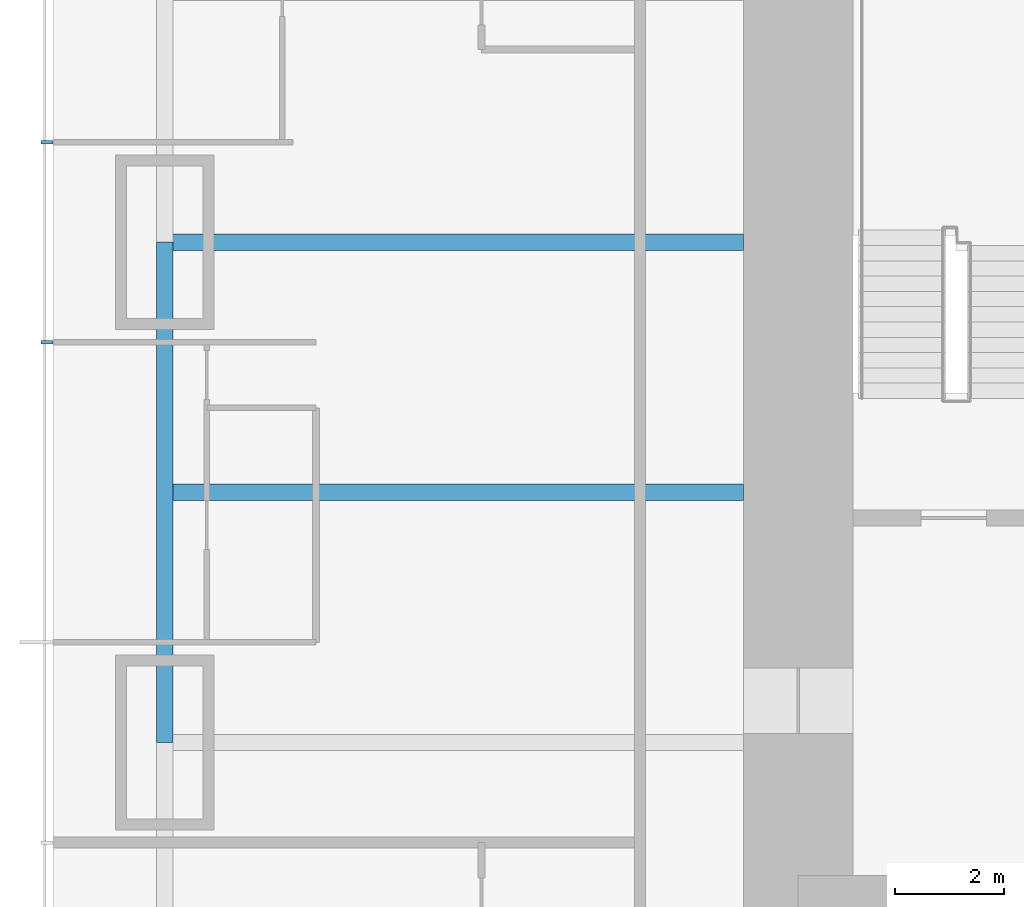
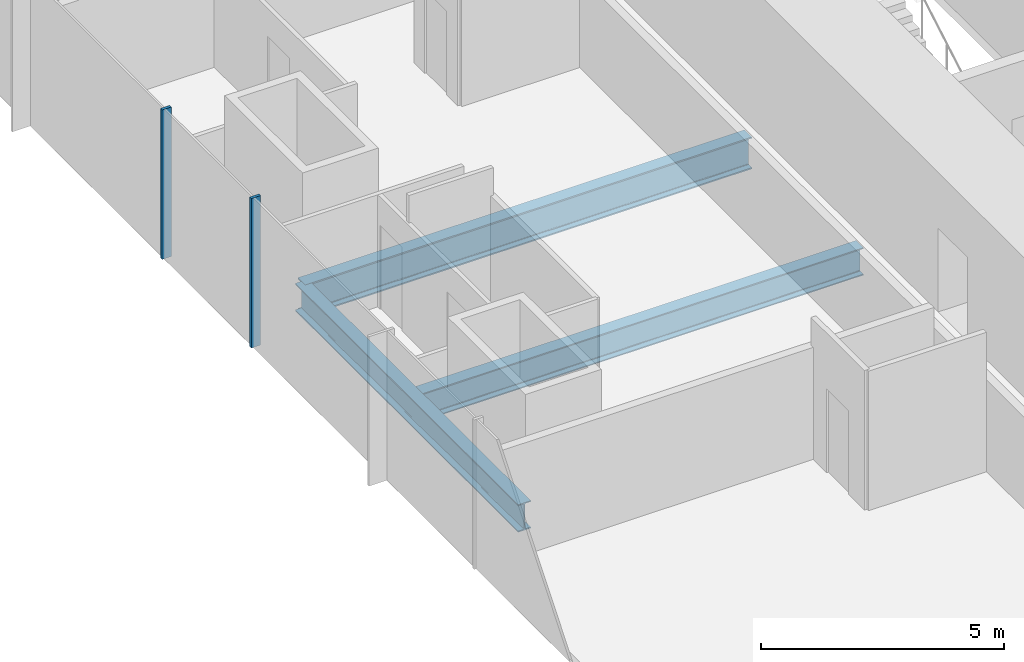
# One storey, part 3 of 13: 3 beams, 2 members, 1 element without a shape of its own.
"""IFC4 building model written with IfcOpenShell, lengths in metres."""

import ifcopenshell
import ifcopenshell.guid

model = None  # the IFC model being written
_history = None  # IfcOwnerHistory: only IFC2X3 demands one
_inside = {}  # id of a spatial element -> (the spatial element, [elements in it])
_under = {}  # id of a project, library or spatial element -> (it, [spatial elements below it])
_declared = {}  # id of a project -> (the project, [libraries it declares])
_typed = {}  # id of a type object -> (the type object, [elements of that type])
_made_of = {}  # id of a material, layer set ... -> (it, [elements and type objects made of it])


def new_model(schema):
    """Start an empty IFC model of exactly this schema.

    Asked for "IFC4X3", IfcOpenShell would pick the latest addendum, in which some entities
    have other attributes; the version numbers below select the first issue.
    IFC2X3 requires an IfcOwnerHistory on every rooted entity: one is made here for all.
    """
    global model, _history
    if schema == "IFC4X3":
        model = ifcopenshell.file(schema_version=(4, 3, 0, 0))
    else:
        model = ifcopenshell.file(schema=schema)
    _inside.clear()
    _under.clear()
    _declared.clear()
    _typed.clear()
    _made_of.clear()
    _history = None
    if model.schema == "IFC2X3":
        org = make("IfcOrganization", Name="unknown")
        user = make(
            "IfcPersonAndOrganization",
            ThePerson=make("IfcPerson", FamilyName="unknown"),
            TheOrganization=org,
        )
        app = make(
            "IfcApplication",
            ApplicationDeveloper=org,
            Version="unknown",
            ApplicationFullName="unknown",
            ApplicationIdentifier="unknown",
        )
        _history = make(
            "IfcOwnerHistory",
            OwningUser=user,
            OwningApplication=app,
            ChangeAction="ADDED",
            CreationDate=0,
        )
    return model


def make(cls, **values):
    """One entity of the class cls with the attributes given. An attribute that is None is left unset."""
    return model.create_entity(
        cls, **{name: value for name, value in values.items() if value is not None}
    )


def rooted(cls, **values):
    """An entity with a GlobalId (a new one), such as an element, a storey or a relation."""
    return make(cls, GlobalId=ifcopenshell.guid.new(), OwnerHistory=_history, **values)


def si_unit(unit_type, name, prefix=None):
    """IfcSIUnit, for example si_unit("LENGTHUNIT", "METRE", prefix="MILLI")."""
    return make("IfcSIUnit", UnitType=unit_type, Prefix=prefix, Name=name)


def assignment(units):
    """IfcUnitAssignment: the units of a project."""
    return None if units is None else make("IfcUnitAssignment", Units=units)


def point(xyz):
    """IfcCartesianPoint."""
    return None if xyz is None else make("IfcCartesianPoint", Coordinates=xyz)


def direction(xyz):
    """IfcDirection."""
    return None if xyz is None else make("IfcDirection", DirectionRatios=xyz)


def frame(location, z_axis=None, x_axis=None):
    """IfcAxis2Placement3D, a coordinate frame: its origin and axes. An axis left out is left unset."""
    return make(
        "IfcAxis2Placement3D",
        Location=point(location),
        Axis=direction(z_axis),
        RefDirection=direction(x_axis),
    )


def frame_2d(location, x_axis=None):
    """IfcAxis2Placement2D, a coordinate frame in the plane: its origin and x axis."""
    return make(
        "IfcAxis2Placement2D", Location=point(location), RefDirection=direction(x_axis)
    )


def origin():
    """The frame at (0, 0, 0) with its axes left unset."""
    return frame((0.0, 0.0, 0.0))


def origin_2d():
    """The frame at (0, 0) in the plane with its x axis left unset."""
    return frame_2d((0.0, 0.0))


def place(relative_to, where):
    """IfcLocalPlacement: puts the frame where relative to a parent placement (None: the world)."""
    return make(
        "IfcLocalPlacement", PlacementRelTo=relative_to, RelativePlacement=where
    )


def context(
    kind, dimensions, precision=None, world=None, true_north=None, identifier=None
):
    """IfcGeometricRepresentationContext, for example the 3D "Model" context."""
    return make(
        "IfcGeometricRepresentationContext",
        ContextIdentifier=identifier,
        ContextType=kind,
        CoordinateSpaceDimension=dimensions,
        Precision=precision,
        WorldCoordinateSystem=world,
        TrueNorth=true_north,
    )


def subcontext(parent, identifier, kind, view, scale=None):
    """IfcGeometricRepresentationSubContext, for example "Body" below "Model"."""
    return make(
        "IfcGeometricRepresentationSubContext",
        ContextIdentifier=identifier,
        ContextType=kind,
        ParentContext=parent,
        TargetScale=scale,
        TargetView=view,
    )


def project(units=None, contexts=None):
    """IfcProject with its units and contexts."""
    return rooted(
        "IfcProject",
        Name="project",
        RepresentationContexts=contexts,
        UnitsInContext=assignment(units),
    )


def spatial(cls, under=None, at=None, **own):
    """A site, building, storey or space (cls), placed at a placement, below another one or the project."""
    s = rooted(cls, ObjectPlacement=at, **own)
    if under is not None:
        _under.setdefault(under.id(), (under, []))[1].append(s)
    return s


def profile(cls, at=None, kind="AREA", **sizes):
    """A parametric profile (cls). Its sizes go by their IFC names, for example OverallWidth=200.0."""
    return make(cls, ProfileType=kind, Position=at, **sizes)


def rectangle(**sizes):
    """IfcRectangleProfileDef."""
    return profile("IfcRectangleProfileDef", **sizes)


def i_section(**sizes):
    """IfcIShapeProfileDef."""
    return profile("IfcIShapeProfileDef", **sizes)


def extrude(swept, where, along, depth):
    """IfcExtrudedAreaSolid: the profile swept, set in the frame where, extruded along a direction by depth."""
    return make(
        "IfcExtrudedAreaSolid",
        SweptArea=swept,
        Position=where,
        ExtrudedDirection=direction(along),
        Depth=depth,
    )


def shape(context_of_items, identifier, shape_type, items):
    """IfcShapeRepresentation: the items that make up one representation, for example the "Body"."""
    return make(
        "IfcShapeRepresentation",
        ContextOfItems=context_of_items,
        RepresentationIdentifier=identifier,
        RepresentationType=shape_type,
        Items=items,
    )


def material(Name=None, Category=None):
    """IfcMaterial."""
    return make("IfcMaterial", Name=Name, Category=Category)


def material_profile(
    of_material, cross_section, Name=None, Category=None, Priority=None
):
    """IfcMaterialProfile: a cross section and its material."""
    return make(
        "IfcMaterialProfile",
        Name=Name,
        Material=of_material,
        Profile=cross_section,
        Priority=Priority,
        Category=Category,
    )


def profile_set(profiles, Name=None, composite=None):
    """IfcMaterialProfileSet."""
    return make(
        "IfcMaterialProfileSet",
        Name=Name,
        MaterialProfiles=profiles,
        CompositeProfile=composite,
    )


def made_of(thing, what):
    """Note that an element or type object is made of a material, layer set ...; save() writes the relation."""
    if what is not None:
        _made_of.setdefault(what.id(), (what, []))[1].append(thing)
    return thing


def type_object(cls, material=None, **own):
    """A type object (cls), such as IfcWallType, which elements share."""
    return made_of(rooted(cls, **own), material)


def element(
    cls,
    number,
    at=None,
    inside=None,
    cuts=None,
    type_object=None,
    material=None,
    context=None,
    identifier="Body",
    shape_type=None,
    held_by="IfcProductDefinitionShape",
    body=None,
    shapes=None,
    **own,
):
    """One element of the class cls, such as IfcWall. Its Tag is "e" and its number.

    at: its placement. inside: the storey or other place that contains it. cuts: it is an
    opening in that element (IfcRelVoidsElement). A single representation is given by context,
    identifier, shape_type and body (its items); several are given by shapes. held_by: the class
    of the entity that holds the representations. save() writes the other relations.
    """
    e = rooted(cls, Tag="e%d" % number, ObjectPlacement=at, **own)
    if body is not None:
        shapes = [shape(context, identifier, shape_type, body)]
    if shapes is not None:
        e.Representation = make(held_by, Representations=shapes)
    if inside is not None:
        _inside.setdefault(inside.id(), (inside, []))[1].append(e)
    if cuts is not None:
        rooted(
            "IfcRelVoidsElement", RelatingBuildingElement=cuts, RelatedOpeningElement=e
        )
    if type_object is not None:
        _typed.setdefault(type_object.id(), (type_object, []))[1].append(e)
    return made_of(e, material)


def aggregate(whole, parts):
    """IfcRelAggregates: a whole, such as a stair, and the parts it consists of."""
    return rooted("IfcRelAggregates", RelatingObject=whole, RelatedObjects=parts)


def save(model, path):
    """Write the relations noted so far, then the file.

    IfcRelAggregates (storeys below a building ...), IfcRelContainedInSpatialStructure (elements
    in a storey), IfcRelDefinesByType, IfcRelAssociatesMaterial and IfcRelDeclares: one each for
    every whole, place, type object, material and project.
    """
    for whole, parts in _under.values():
        aggregate(whole, parts)
    for where, things in _inside.values():
        rooted(
            "IfcRelContainedInSpatialStructure",
            RelatedElements=things,
            RelatingStructure=where,
        )
    for kind, things in _typed.values():
        rooted("IfcRelDefinesByType", RelatedObjects=things, RelatingType=kind)
    for what, things in _made_of.values():
        rooted("IfcRelAssociatesMaterial", RelatedObjects=things, RelatingMaterial=what)
    for by, libraries in _declared.values():
        rooted("IfcRelDeclares", RelatingContext=by, RelatedDefinitions=libraries)
    model.write(path)


model = new_model("IFC4")

# Units and contexts
model_context = context("Model", 3, precision=1e-05, world=origin(), true_north=direction((0.0, 1.0)))
body_context = subcontext(model_context, "Body", "Model", "MODEL_VIEW")
ifc_project = project(units=[si_unit("LENGTHUNIT", "METRE"), si_unit("AREAUNIT", "SQUARE_METRE"), si_unit("VOLUMEUNIT", "CUBIC_METRE"), si_unit("PLANEANGLEUNIT", "RADIAN"), si_unit("MASSUNIT", "GRAM", prefix="KILO")], contexts=[model_context])

# Site, building, storey
site_placement = place(None, origin())
site = spatial("IfcSite", under=ifc_project, at=site_placement, CompositionType="ELEMENT")
building_placement = place(site_placement, origin())
building = spatial("IfcBuilding", under=site, at=building_placement, Name="Khuree Lantern Residences", CompositionType="ELEMENT")
storey_placement = place(building_placement, frame((0.0, 0.0, 114.75)))
storey = spatial("IfcBuildingStorey", under=building, at=storey_placement, Name="L28", CompositionType="ELEMENT", Elevation=114.75)

# Beams
ifc_material_1 = material(Name="Steel S355", Category="steel")
ifc_material_profile_1 = material_profile(ifc_material_1, i_section(OverallWidth=0.300048828125, OverallDepth=0.68994140625, WebThickness=0.014404296875, FlangeThickness=0.027099609375, FilletRadius=0.027099609375, at=origin_2d()), Name="HE 700 A")
ifc_profile_set_1 = profile_set([ifc_material_profile_1], Name="Steel S355")
beam_type_1 = type_object("IfcBeamType", Name="B-21A SECONDARY BEAM HE 700 A", PredefinedType="BEAM", material=ifc_profile_set_1)
beam_1_placement = place(storey_placement, frame((-27.10009765625, -4.580078125, -0.594970703125), z_axis=(1.0, 0.0, 0.0), x_axis=(0.0, 1.0, 0.0)))
element("IfcBeam", 1, at=beam_1_placement, inside=storey, type_object=beam_type_1, Name="Secondary beam W3", PredefinedType="BEAM", context=body_context, shape_type="SweptSolid", body=[
    extrude(i_section(OverallWidth=0.300048828125, OverallDepth=0.68994140625, WebThickness=0.014404296875, FlangeThickness=0.027099609375, FilletRadius=0.027099609375, at=origin_2d()), origin(), (0.0, 0.0, 1.0), 10.60009765625),
])
ifc_material_profile_2 = material_profile(ifc_material_1, i_section(OverallWidth=0.300048828125, OverallDepth=0.68994140625, WebThickness=0.014404296875, FlangeThickness=0.027099609375, FilletRadius=0.027099609375, at=origin_2d()), Name="HE 700 A")
ifc_profile_set_2 = profile_set([ifc_material_profile_2], Name="Steel S355")
beam_type_2 = type_object("IfcBeamType", Name="E-21 SPANDREL BEAM HE 700 A", PredefinedType="SPANDREL", material=ifc_profile_set_2)
beam_2_placement = place(storey_placement, frame((-27.10009765625, -9.159912109375, -0.594970703125), z_axis=(0.0, 1.0, 0.0), x_axis=(-1.0, 0.0, 0.0)))
element("IfcBeam", 2, at=beam_2_placement, inside=storey, type_object=beam_type_2, Name="Spandrel beam W3", PredefinedType="SPANDREL", context=body_context, shape_type="SweptSolid", body=[
    extrude(i_section(OverallWidth=0.300048828125, OverallDepth=0.68994140625, WebThickness=0.014404296875, FlangeThickness=0.027099609375, FilletRadius=0.027099609375, at=origin_2d()), origin(), (0.0, 0.0, 1.0), 9.159912109375),
])
ifc_material_profile_3 = material_profile(ifc_material_1, i_section(OverallWidth=0.300048828125, OverallDepth=0.800048828125, WebThickness=0.017578125, FlangeThickness=0.032958984375, FilletRadius=0.030029296875, at=origin_2d()), Name="HE 800 B")
ifc_profile_set_3 = profile_set([ifc_material_profile_3], Name="Steel S355")
beam_type_3 = type_object("IfcBeamType", Name="G-21 GIRDER HE 800 B", PredefinedType="BEAM", material=ifc_profile_set_3)
beam_3_placement = place(storey_placement, frame((-27.10009765625, 0.0, -0.64990234375), z_axis=(1.0, 0.0, 0.0), x_axis=(0.0, 1.0, 0.0)))
element("IfcBeam", 3, at=beam_3_placement, inside=storey, type_object=beam_type_3, Name="Girder W3", PredefinedType="BEAM", context=body_context, shape_type="SweptSolid", body=[
    extrude(i_section(OverallWidth=0.300048828125, OverallDepth=0.800048828125, WebThickness=0.017578125, FlangeThickness=0.032958984375, FilletRadius=0.030029296875, at=origin_2d()), origin(), (0.0, 0.0, 1.0), 10.60009765625),
])

# Curtain wall, members
ifc_material_2 = material(Name="Bronze anodised aluminium", Category="aluminium")
curtain_wall_type = type_object("IfcCurtainWallType", Name="CW-T1 TOWER FACE CURTAIN WALL", PredefinedType="USERDEFINED", material=ifc_material_2)
curtain_wall_placement = place(storey_placement, origin())
curtain_wall = element("IfcCurtainWall", 4, at=curtain_wall_placement, inside=storey, type_object=curtain_wall_type, Name="L28 WEST FACE CURTAIN WALL", ObjectType="Stick-built curtain wall", PredefinedType="USERDEFINED")
ifc_material_profile_4 = material_profile(ifc_material_2, rectangle(XDim=0.06494140625, YDim=0.219970703125, at=origin_2d()), Name="M1 65X220")
ifc_profile_set_4 = profile_set([ifc_material_profile_4], Name="Bronze anodised aluminium")
member_type = type_object("IfcMemberType", Name="M1 BRONZE MULLION TOWER 65X220", PredefinedType="MULLION", material=ifc_profile_set_4)
member_1_placement = place(storey_placement, frame((-29.260009765625, 1.83203125, 0.0), z_axis=(0.0, 0.0, 1.0), x_axis=(0.0, -1.0, 0.0)))
member_1 = element("IfcMember", 5, at=member_1_placement, type_object=member_type, Name="L28 WEST FACE MULLION 37", PredefinedType="MULLION", context=body_context, shape_type="SweptSolid", body=[
    extrude(rectangle(XDim=0.06494140625, YDim=0.219970703125, at=origin_2d()), origin(), (0.0, 0.0, 1.0), 3.75),
])
member_2_placement = place(storey_placement, frame((-29.260009765625, -1.83203125, 0.0), z_axis=(0.0, 0.0, 1.0), x_axis=(0.0, -1.0, 0.0)))
member_2 = element("IfcMember", 6, at=member_2_placement, type_object=member_type, Name="L28 WEST FACE MULLION 38", PredefinedType="MULLION", context=body_context, shape_type="SweptSolid", body=[
    extrude(rectangle(XDim=0.06494140625, YDim=0.219970703125, at=origin_2d()), origin(), (0.0, 0.0, 1.0), 3.75),
])
aggregate(curtain_wall, [member_1, member_2])

save(model, "model.ifc")
